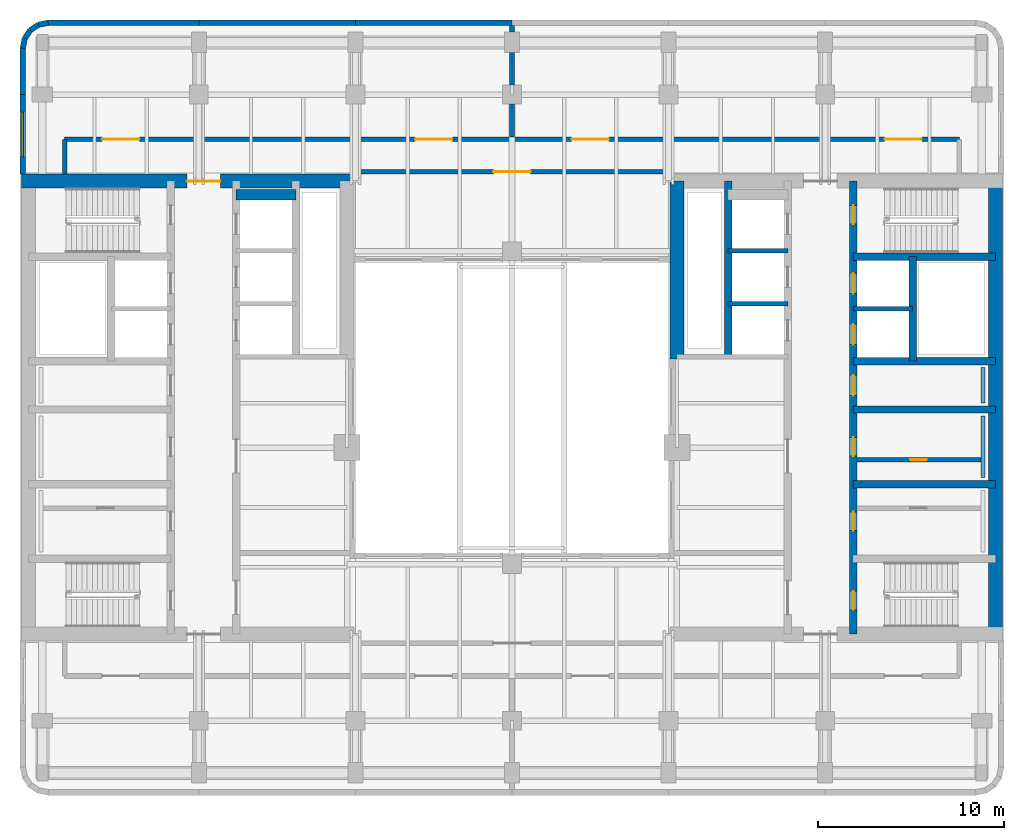
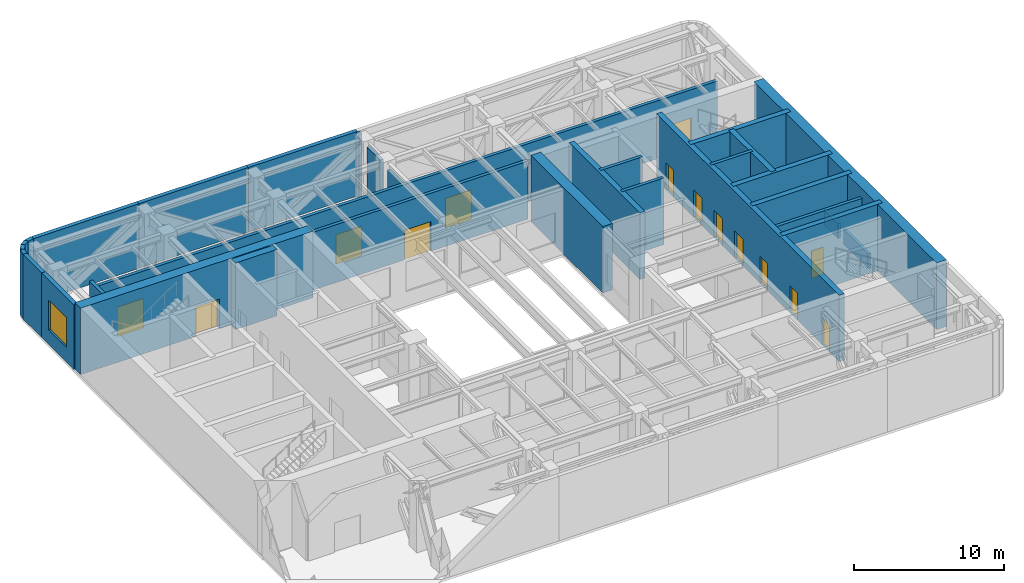
# One storey, part 6 of 10: 32 walls, 14 doors, 1 window, 15 openings.
"""IFC4 building model written with IfcOpenShell, lengths in metres."""

from ifc_helpers import new_model, si_unit, direction, frame, frame_2d, origin, place, context, subcontext, project, spatial, rectangle, extrude, material, layer, layer_set, type_object, element, fill, save


model = new_model("IFC4")

# Units and contexts
model_context = context("Model", 3, precision=1e-05, world=origin(), true_north=direction((0.0, 1.0)))
body_context = subcontext(model_context, "Body", "Model", "MODEL_VIEW")
ifc_project = project(units=[si_unit("LENGTHUNIT", "METRE"), si_unit("AREAUNIT", "SQUARE_METRE"), si_unit("VOLUMEUNIT", "CUBIC_METRE"), si_unit("PLANEANGLEUNIT", "RADIAN"), si_unit("MASSUNIT", "GRAM", prefix="KILO")], contexts=[model_context])

# Site, building, storey
site_placement = place(None, origin())
site = spatial("IfcSite", under=ifc_project, at=site_placement, CompositionType="ELEMENT")
building_placement = place(site_placement, origin())
building = spatial("IfcBuilding", under=site, at=building_placement, Name="Claustro Exchange Tower", CompositionType="ELEMENT")
storey_placement = place(building_placement, frame((0.0, 0.0, 244.800048828125)))
storey = spatial("IfcBuildingStorey", under=building, at=storey_placement, Name="L56", CompositionType="ELEMENT", Elevation=244.800048828125)

# Wall, openings, doors
ifc_material_1 = material(Name="Concrete blockwork, rendered", Category="masonry")
ifc_layer_1 = layer(ifc_material_1, 0.25)
ifc_layer_set_1 = layer_set([ifc_layer_1], Name="Concrete blockwork, rendered")
wall_type_1 = type_object("IfcWallType", Name="P4 250 blockwork wall", PredefinedType="PARTITIONING", material=ifc_layer_set_1)
wall_1_placement = place(storey_placement, frame((1.199951171875, 39.60009765625, 0.0), z_axis=(0.0, 0.0, 1.0), x_axis=(1.0, 0.0, 0.0)))
wall_1 = element("IfcWall", 1, at=wall_1_placement, inside=storey, type_object=wall_type_1, Name="Partition P4 L56", PredefinedType="PARTITIONING", context=body_context, shape_type="SweptSolid", body=[
    extrude(rectangle(XDim=48.0, YDim=0.25, at=frame_2d((24.0, 0.0))), origin(), (0.0, 0.0, 1.0), 4.699951171875),
])
opening_1_placement = place(wall_1_placement, frame((2.0, 0.0, 0.0)))
opening_1 = element("IfcOpeningElement", 2, at=opening_1_placement, cuts=wall_1, Name="Opening D9", PredefinedType="OPENING", context=body_context, shape_type="SweptSolid", body=[
    extrude(rectangle(XDim=2.0, YDim=2.39990234375, at=frame_2d((1.0, 1.199951171875))), frame((0.0, 0.135009765625, 0.0), z_axis=(0.0, -1.0, 0.0), x_axis=(1.0, 0.0, 0.0)), (0.0, 0.0, 1.0), 0.27001953125),
])
opening_2_placement = place(wall_1_placement, frame((18.800048828125, 0.0, 0.0)))
opening_2 = element("IfcOpeningElement", 3, at=opening_2_placement, cuts=wall_1, Name="Opening D9", PredefinedType="OPENING", context=body_context, shape_type="SweptSolid", body=[
    extrude(rectangle(XDim=2.0, YDim=2.39990234375, at=frame_2d((1.0, 1.199951171875))), frame((0.0, 0.135009765625, 0.0), z_axis=(0.0, -1.0, 0.0), x_axis=(1.0, 0.0, 0.0)), (0.0, 0.0, 1.0), 0.27001953125),
])
opening_3_placement = place(wall_1_placement, frame((27.199951171875, 0.0, 0.0)))
opening_3 = element("IfcOpeningElement", 4, at=opening_3_placement, cuts=wall_1, Name="Opening D9", PredefinedType="OPENING", context=body_context, shape_type="SweptSolid", body=[
    extrude(rectangle(XDim=2.0, YDim=2.39990234375, at=frame_2d((1.0, 1.199951171875))), frame((0.0, 0.135009765625, 0.0), z_axis=(0.0, -1.0, 0.0), x_axis=(1.0, 0.0, 0.0)), (0.0, 0.0, 1.0), 0.27001953125),
])
opening_4_placement = place(wall_1_placement, frame((44.0, 0.0, 0.0)))
opening_4 = element("IfcOpeningElement", 5, at=opening_4_placement, cuts=wall_1, Name="Opening D9", PredefinedType="OPENING", context=body_context, shape_type="SweptSolid", body=[
    extrude(rectangle(XDim=2.0, YDim=2.39990234375, at=frame_2d((1.0, 1.199951171875))), frame((0.0, 0.135009765625, 0.0), z_axis=(0.0, -1.0, 0.0), x_axis=(1.0, 0.0, 0.0)), (0.0, 0.0, 1.0), 0.27001953125),
])
ifc_material_2 = material(Name="Steel fire door, painted", Category="steel")
door_type_1 = type_object("IfcDoorType", Name="D9 2000 x 2400 plant room double door", OperationType="DOUBLE_DOOR_SINGLE_SWING", PredefinedType="DOOR", material=ifc_material_2)
door_1_placement = place(opening_1_placement, origin())
door_1 = element("IfcDoor", 6, at=door_1_placement, inside=storey, type_object=door_type_1, Name="Double door D9 L56", OperationType="DOUBLE_DOOR_SINGLE_SWING", OverallHeight=2.39990234375, OverallWidth=2.0, PredefinedType="DOOR", context=body_context, shape_type="SweptSolid", body=[
    extrude(rectangle(XDim=2.0, YDim=2.39990234375, at=frame_2d((1.0, 1.199951171875))), frame((0.0, 0.02490234375, 0.0), z_axis=(0.0, -1.0, 0.0), x_axis=(1.0, 0.0, 0.0)), (0.0, 0.0, 1.0), 0.050048828125),
])
fill(opening_1, door_1)
door_2_placement = place(opening_2_placement, origin())
door_2 = element("IfcDoor", 7, at=door_2_placement, inside=storey, type_object=door_type_1, Name="Double door D9 L56", OperationType="DOUBLE_DOOR_SINGLE_SWING", OverallHeight=2.39990234375, OverallWidth=2.0, PredefinedType="DOOR", context=body_context, shape_type="SweptSolid", body=[
    extrude(rectangle(XDim=2.0, YDim=2.39990234375, at=frame_2d((1.0, 1.199951171875))), frame((0.0, 0.02490234375, 0.0), z_axis=(0.0, -1.0, 0.0), x_axis=(1.0, 0.0, 0.0)), (0.0, 0.0, 1.0), 0.050048828125),
])
fill(opening_2, door_2)
door_3_placement = place(opening_3_placement, origin())
door_3 = element("IfcDoor", 8, at=door_3_placement, inside=storey, type_object=door_type_1, Name="Double door D9 L56", OperationType="DOUBLE_DOOR_SINGLE_SWING", OverallHeight=2.39990234375, OverallWidth=2.0, PredefinedType="DOOR", context=body_context, shape_type="SweptSolid", body=[
    extrude(rectangle(XDim=2.0, YDim=2.39990234375, at=frame_2d((1.0, 1.199951171875))), frame((0.0, 0.02490234375, 0.0), z_axis=(0.0, -1.0, 0.0), x_axis=(1.0, 0.0, 0.0)), (0.0, 0.0, 1.0), 0.050048828125),
])
fill(opening_3, door_3)
door_4_placement = place(opening_4_placement, origin())
door_4 = element("IfcDoor", 9, at=door_4_placement, inside=storey, type_object=door_type_1, Name="Double door D9 L56", OperationType="DOUBLE_DOOR_SINGLE_SWING", OverallHeight=2.39990234375, OverallWidth=2.0, PredefinedType="DOOR", context=body_context, shape_type="SweptSolid", body=[
    extrude(rectangle(XDim=2.0, YDim=2.39990234375, at=frame_2d((1.0, 1.199951171875))), frame((0.0, 0.02490234375, 0.0), z_axis=(0.0, -1.0, 0.0), x_axis=(1.0, 0.0, 0.0)), (0.0, 0.0, 1.0), 0.050048828125),
])
fill(opening_4, door_4)

# Walls
wall_2_placement = place(storey_placement, frame((1.199951171875, 37.72412109375, 0.0), z_axis=(0.0, 0.0, 1.0), x_axis=(0.0, 1.0, 0.0)))
element("IfcWall", 10, at=wall_2_placement, inside=storey, type_object=wall_type_1, Name="Partition P4 L56", PredefinedType="PARTITIONING", context=body_context, shape_type="SweptSolid", body=[
    extrude(rectangle(XDim=1.8759765625, YDim=0.25, at=frame_2d((0.93798828125, 0.0))), origin(), (0.0, 0.0, 1.0), 5.25),
])
wall_3_placement = place(storey_placement, frame((25.199951171875, 39.72412109375, 0.0), z_axis=(0.0, 0.0, 1.0), x_axis=(0.0, 1.0, 0.0)))
element("IfcWall", 11, at=wall_3_placement, inside=storey, type_object=wall_type_1, Name="Partition P4 L56", PredefinedType="PARTITIONING", context=body_context, shape_type="SweptSolid", body=[
    extrude(rectangle(XDim=1.77685546875, YDim=0.25, at=frame_2d((0.888427734375, 0.0))), origin(), (0.0, 0.0, 1.0), 4.699951171875),
])
wall_4_placement = place(storey_placement, frame((25.199951171875, 42.4990234375, 0.0), z_axis=(0.0, 0.0, 1.0), x_axis=(0.0, 1.0, 0.0)))
element("IfcWall", 12, at=wall_4_placement, inside=storey, type_object=wall_type_1, Name="Partition P4 L56", PredefinedType="PARTITIONING", context=body_context, shape_type="SweptSolid", body=[
    extrude(rectangle(XDim=1.751953125, YDim=0.25, at=frame_2d((0.8759765625, 0.0))), origin(), (0.0, 0.0, 1.0), 4.889892578125),
])
wall_5_placement = place(storey_placement, frame((25.199951171875, 45.35107421875, 0.0), z_axis=(0.0, 0.0, 1.0), x_axis=(0.0, 1.0, 0.0)))
element("IfcWall", 13, at=wall_5_placement, inside=storey, type_object=wall_type_1, Name="Partition P4 L56", PredefinedType="PARTITIONING", context=body_context, shape_type="SweptSolid", body=[
    extrude(rectangle(XDim=0.350830078125, YDim=0.25, at=frame_2d((0.17529296875, 0.0))), origin(), (0.0, 0.0, 1.0), 5.25),
])

# Wall, opening, door
wall_6_placement = place(storey_placement, frame((16.72509765625, 37.85009765625, 0.0), z_axis=(0.0, 0.0, 1.0), x_axis=(1.0, 0.0, 0.0)))
wall_6 = element("IfcWall", 14, at=wall_6_placement, inside=storey, type_object=wall_type_1, Name="Partition P4 L56", PredefinedType="PARTITIONING", context=body_context, shape_type="SweptSolid", body=[
    extrude(rectangle(XDim=16.949951171875, YDim=0.25, at=frame_2d((8.47509765625, 0.0))), origin(), (0.0, 0.0, 1.0), 4.699951171875),
])
opening_5_placement = place(wall_6_placement, frame((7.47509765625, 0.0, 0.0)))
opening_5 = element("IfcOpeningElement", 15, at=opening_5_placement, cuts=wall_6, Name="Opening D9", PredefinedType="OPENING", context=body_context, shape_type="SweptSolid", body=[
    extrude(rectangle(XDim=2.0, YDim=2.39990234375, at=frame_2d((1.0, 1.199951171875))), frame((0.0, 0.135009765625, 0.0), z_axis=(0.0, -1.0, 0.0), x_axis=(1.0, 0.0, 0.0)), (0.0, 0.0, 1.0), 0.27001953125),
])
door_5_placement = place(opening_5_placement, origin())
door_5 = element("IfcDoor", 16, at=door_5_placement, inside=storey, type_object=door_type_1, Name="Double door D9 L56", OperationType="DOUBLE_DOOR_SINGLE_SWING", OverallHeight=2.39990234375, OverallWidth=2.0, PredefinedType="DOOR", context=body_context, shape_type="SweptSolid", body=[
    extrude(rectangle(XDim=2.0, YDim=2.39990234375, at=frame_2d((1.0, 1.199951171875))), frame((0.0, 0.02490234375, 0.0), z_axis=(0.0, -1.0, 0.0), x_axis=(1.0, 0.0, 0.0)), (0.0, 0.0, 1.0), 0.050048828125),
])
fill(opening_5, door_5)

wall_7_placement = place(storey_placement, frame((43.699951171875, 22.39990234375, 0.0), z_axis=(0.0, 0.0, 1.0), x_axis=(1.0, 0.0, 0.0)))
wall_7 = element("IfcWall", 17, at=wall_7_placement, inside=storey, type_object=wall_type_1, Name="Partition P4 L56", PredefinedType="PARTITIONING", context=body_context, shape_type="SweptSolid", body=[
    extrude(rectangle(XDim=6.675048828125, YDim=0.25, at=frame_2d((3.33740234375, 0.0))), origin(), (0.0, 0.0, 1.0), 5.199951171875),
])
opening_6_placement = place(wall_7_placement, frame((2.862548828125, 0.0, 0.0)))
opening_6 = element("IfcOpeningElement", 18, at=opening_6_placement, cuts=wall_7, Name="Opening D5", PredefinedType="OPENING", context=body_context, shape_type="SweptSolid", body=[
    extrude(rectangle(XDim=0.89990234375, YDim=2.199951171875, at=frame_2d((0.449951171875, 1.10009765625))), frame((0.0, 0.135009765625, 0.0), z_axis=(0.0, -1.0, 0.0), x_axis=(1.0, 0.0, 0.0)), (0.0, 0.0, 1.0), 0.27001953125),
])
ifc_material_3 = material(Name="Steel door, painted", Category="steel")
door_type_2 = type_object("IfcDoorType", Name="D5 900 x 2200 store door", OperationType="SINGLE_SWING_LEFT", PredefinedType="DOOR", material=ifc_material_3)
door_6_placement = place(opening_6_placement, frame((0.89990234375, 0.0, 0.0), z_axis=(0.0, 0.0, 1.0), x_axis=(-1.0, 0.0, 0.0)))
door_6 = element("IfcDoor", 19, at=door_6_placement, inside=storey, type_object=door_type_2, Name="Store door D5 L56", OperationType="SINGLE_SWING_RIGHT", OverallHeight=2.199951171875, OverallWidth=0.89990234375, PredefinedType="DOOR", context=body_context, shape_type="SweptSolid", body=[
    extrude(rectangle(XDim=0.89990234375, YDim=2.199951171875, at=frame_2d((0.449951171875, 1.10009765625))), frame((0.0, 0.02490234375, 0.0), z_axis=(0.0, -1.0, 0.0), x_axis=(1.0, 0.0, 0.0)), (0.0, 0.0, 1.0), 0.050048828125),
])
fill(opening_6, door_6)

# Wall, opening, window
ifc_material_4 = material(Name="Concrete HA-40 (C40/50), precast, white cement, acid-etched", Category="concrete")
ifc_layer_2 = layer(ifc_material_4, 0.300048828125)
ifc_layer_set_2 = layer_set([ifc_layer_2], Name="Concrete HA-40 (C40/50), precast, white cement, acid-etched")
wall_type_2 = type_object("IfcWallType", Name="PC1 300 precast concrete pier panel", PredefinedType="SOLIDWALL", material=ifc_layer_set_2)
wall_8_placement = place(storey_placement, frame((-1.050048828125, 37.72509765625, 0.0), z_axis=(0.0, 0.0, 1.0), x_axis=(0.0, 1.0, 0.0)))
wall_8 = element("IfcWall", 20, at=wall_8_placement, inside=storey, type_object=wall_type_2, Name="Precast pier panel PC1 L56", PredefinedType="SOLIDWALL", context=body_context, shape_type="SweptSolid", body=[
    extrude(rectangle(XDim=4.27490234375, YDim=0.300048828125, at=frame_2d((2.137451171875, 0.0))), origin(), (0.0, 0.0, 1.0), 5.25),
])
opening_7_placement = place(wall_8_placement, frame((0.9375, 0.0, 1.199951171875)))
opening_7 = element("IfcOpeningElement", 21, at=opening_7_placement, cuts=wall_8, Name="Opening L2", PredefinedType="OPENING", context=body_context, shape_type="SweptSolid", body=[
    extrude(rectangle(XDim=2.39990234375, YDim=2.39990234375, at=frame_2d((1.199951171875, 1.199951171875))), frame((0.0, 0.159912109375, 0.0), z_axis=(0.0, -1.0, 0.0), x_axis=(1.0, 0.0, 0.0)), (0.0, 0.0, 1.0), 0.320068359375),
])
ifc_material_5 = material(Name="Aluminium louvre blades", Category="aluminium")
window_type = type_object("IfcWindowType", Name="L2 2400 x 2400 plant louvre", PartitioningType="SINGLE_PANEL", PredefinedType="USERDEFINED", material=ifc_material_5)
window_placement = place(opening_7_placement, origin())
window = element("IfcWindow", 22, at=window_placement, inside=storey, type_object=window_type, Name="Plant louvre L2 L56", ObjectType="LOUVRE", OverallHeight=2.39990234375, OverallWidth=2.39990234375, PartitioningType="SINGLE_PANEL", PredefinedType="USERDEFINED", context=body_context, shape_type="SweptSolid", body=[
    extrude(rectangle(XDim=2.39990234375, YDim=2.39990234375, at=frame_2d((1.199951171875, 1.199951171875))), frame((0.0, 0.030029296875, 0.0), z_axis=(0.0, -1.0, 0.0), x_axis=(1.0, 0.0, 0.0)), (0.0, 0.0, 1.0), 0.06005859375),
])
fill(opening_7, window)

# Walls
wall_9_placement = place(storey_placement, frame((-1.050048828125, 42.0, 0.0), z_axis=(0.0, 0.0, 1.0), x_axis=(0.0, 1.0, 0.0)))
element("IfcWall", 23, at=wall_9_placement, inside=storey, type_object=wall_type_2, Name="Precast pier panel PC1 L56", PredefinedType="SOLIDWALL", context=body_context, shape_type="SweptSolid", body=[
    extrude(rectangle(XDim=2.485107421875, YDim=0.300048828125, at=frame_2d((1.24267578125, 0.0))), origin(), (0.0, 0.0, 1.0), 5.25),
])
wall_10_placement = place(storey_placement, frame((-1.050048828125, 44.485107421875, 0.0), z_axis=(0.0, 0.0, 1.0), x_axis=(0.195073962632, 0.980788534345, 0.0)))
element("IfcWall", 24, at=wall_10_placement, inside=storey, type_object=wall_type_2, Name="Precast pier panel PC1 L56", PredefinedType="SOLIDWALL", context=body_context, shape_type="SweptSolid", body=[
    extrude(rectangle(XDim=0.540771484375, YDim=0.300048828125, at=frame_2d((0.2705078125, 0.0))), origin(), (0.0, 0.0, 1.0), 5.25),
])
wall_11_placement = place(storey_placement, frame((-0.944580078125, 45.015380859375, 0.0), z_axis=(0.0, 0.0, 1.0), x_axis=(0.55534295404, 0.831621430339, 0.0)))
element("IfcWall", 25, at=wall_11_placement, inside=storey, type_object=wall_type_2, Name="Precast pier panel PC1 L56", PredefinedType="SOLIDWALL", context=body_context, shape_type="SweptSolid", body=[
    extrude(rectangle(XDim=0.52587890625, YDim=0.300048828125, at=frame_2d((0.262939453125, 0.0))), origin(), (0.0, 0.0, 1.0), 5.25),
])
wall_12_placement = place(storey_placement, frame((-0.652587890625, 45.45263671875, 0.0), z_axis=(0.0, 0.0, 1.0), x_axis=(0.831692711774, 0.555236195849, 0.0)))
element("IfcWall", 26, at=wall_12_placement, inside=storey, type_object=wall_type_2, Name="Precast pier panel PC1 L56", PredefinedType="SOLIDWALL", context=body_context, shape_type="SweptSolid", body=[
    extrude(rectangle(XDim=0.525390625, YDim=0.300048828125, at=frame_2d((0.2626953125, 0.0))), origin(), (0.0, 0.0, 1.0), 5.25),
])
wall_13_placement = place(storey_placement, frame((-0.215576171875, 45.744384765625, 0.0), z_axis=(0.0, 0.0, 1.0), x_axis=(0.980702050465, 0.1955082817, 0.0)))
element("IfcWall", 27, at=wall_13_placement, inside=storey, type_object=wall_type_2, Name="Precast pier panel PC1 L56", PredefinedType="SOLIDWALL", context=body_context, shape_type="SweptSolid", body=[
    extrude(rectangle(XDim=0.540771484375, YDim=0.300048828125, at=frame_2d((0.2705078125, 0.0))), origin(), (0.0, 0.0, 1.0), 5.25),
])
wall_14_placement = place(storey_placement, frame((0.314697265625, 45.85009765625, 0.0), z_axis=(0.0, 0.0, 1.0), x_axis=(1.0, 0.0, 0.0)))
element("IfcWall", 28, at=wall_14_placement, inside=storey, type_object=wall_type_2, Name="Precast pier panel PC1 L56", PredefinedType="SOLIDWALL", context=body_context, shape_type="SweptSolid", body=[
    extrude(rectangle(XDim=8.085205078125, YDim=0.300048828125, at=frame_2d((4.04248046875, 0.0))), origin(), (0.0, 0.0, 1.0), 5.25),
])
wall_15_placement = place(storey_placement, frame((8.39990234375, 45.85009765625, 0.0), z_axis=(0.0, 0.0, 1.0), x_axis=(1.0, 0.0, 0.0)))
element("IfcWall", 29, at=wall_15_placement, inside=storey, type_object=wall_type_2, Name="Precast pier panel PC1 L56", PredefinedType="SOLIDWALL", context=body_context, shape_type="SweptSolid", body=[
    extrude(rectangle(XDim=8.400146484375, YDim=0.300048828125, at=frame_2d((4.2001953125, 0.0))), origin(), (0.0, 0.0, 1.0), 5.25),
])
wall_16_placement = place(storey_placement, frame((16.800048828125, 45.85009765625, 0.0), z_axis=(0.0, 0.0, 1.0), x_axis=(1.0, 0.0, 0.0)))
element("IfcWall", 30, at=wall_16_placement, inside=storey, type_object=wall_type_2, Name="Precast pier panel PC1 L56", PredefinedType="SOLIDWALL", context=body_context, shape_type="SweptSolid", body=[
    extrude(rectangle(XDim=8.39990234375, YDim=0.300048828125, at=frame_2d((4.199951171875, 0.0))), origin(), (0.0, 0.0, 1.0), 5.25),
])
ifc_material_6 = material(Name="Gypsum board on steel studs, tiled", Category="steel")
ifc_layer_3 = layer(ifc_material_6, 0.199951171875)
ifc_layer_set_3 = layer_set([ifc_layer_3], Name="Gypsum board on steel studs, tiled")
wall_type_3 = type_object("IfcWallType", Name="PW1 200 WC duct wall", PredefinedType="PLUMBINGWALL", material=ifc_layer_set_3)
wall_17_placement = place(storey_placement, frame((50.47509765625, 21.449951171875, 0.0), z_axis=(0.0, 0.0, 1.0), x_axis=(0.0, 1.0, 0.0)))
element("IfcWall", 31, at=wall_17_placement, inside=storey, type_object=wall_type_3, Name="WC duct wall PW1 L56", PredefinedType="PLUMBINGWALL", context=body_context, shape_type="SweptSolid", body=[
    extrude(rectangle(XDim=3.300048828125, YDim=0.199951171875, at=frame_2d((1.64990234375, 0.0))), origin(), (0.0, 0.0, 1.0), 1.199951171875),
])
wall_18_placement = place(storey_placement, frame((50.47509765625, 25.449951171875, 0.0), z_axis=(0.0, 0.0, 1.0), x_axis=(0.0, 1.0, 0.0)))
element("IfcWall", 32, at=wall_18_placement, inside=storey, type_object=wall_type_3, Name="WC duct wall PW1 L56", PredefinedType="PLUMBINGWALL", context=body_context, shape_type="SweptSolid", body=[
    extrude(rectangle(XDim=1.900146484375, YDim=0.199951171875, at=frame_2d((0.9501953125, 0.0))), origin(), (0.0, 0.0, 1.0), 1.199951171875),
])

# Wall, opening, door
ifc_material_7 = material(Name="Concrete HA-70 (C70/85)", Category="concrete")
ifc_layer_4 = layer(ifc_material_7, 0.75)
ifc_layer_set_4 = layer_set([ifc_layer_4], Name="Concrete HA-70 (C70/85)")
wall_type_4 = type_object("IfcWallType", Name="SW2 750 core shear wall", PredefinedType="SHEAR", material=ifc_layer_set_4)
wall_19_placement = place(storey_placement, frame((-1.125, 37.35009765625, 0.0), z_axis=(0.0, 0.0, 1.0), x_axis=(1.0, 0.0, 0.0)))
wall_19 = element("IfcWall", 33, at=wall_19_placement, inside=storey, type_object=wall_type_4, Name="Core wall SW2 W core N face L56", PredefinedType="SHEAR", context=body_context, shape_type="SweptSolid", body=[
    extrude(rectangle(XDim=17.85009765625, YDim=0.75, at=frame_2d((8.925048828125, 0.0))), origin(), (0.0, 0.0, 1.0), 5.39990234375),
])
opening_8_placement = place(wall_19_placement, frame((8.875, 0.0, 0.0)))
opening_8 = element("IfcOpeningElement", 34, at=opening_8_placement, cuts=wall_19, Name="Opening D3", PredefinedType="OPENING", context=body_context, shape_type="SweptSolid", body=[
    extrude(rectangle(XDim=1.800048828125, YDim=2.39990234375, at=frame_2d((0.89990234375, 1.199951171875))), frame((0.0, 0.385009765625, 0.0), z_axis=(0.0, -1.0, 0.0), x_axis=(1.0, 0.0, 0.0)), (0.0, 0.0, 1.0), 0.77001953125),
])
ifc_material_8 = material(Name="Steel fire door, painted", Category="steel")
door_type_3 = type_object("IfcDoorType", Name="D3 1800 x 2400 fire-rated lobby double door", OperationType="DOUBLE_DOOR_SINGLE_SWING", PredefinedType="DOOR", material=ifc_material_8)
door_7_placement = place(opening_8_placement, frame((1.800048828125, 0.0, 0.0), z_axis=(0.0, 0.0, 1.0), x_axis=(-1.0, 0.0, 0.0)))
door_7 = element("IfcDoor", 35, at=door_7_placement, inside=storey, type_object=door_type_3, Name="Lift lobby door D3 L56", OperationType="DOUBLE_DOOR_SINGLE_SWING", OverallHeight=2.39990234375, OverallWidth=1.800048828125, PredefinedType="DOOR", context=body_context, shape_type="SweptSolid", body=[
    extrude(rectangle(XDim=1.800048828125, YDim=2.39990234375, at=frame_2d((0.89990234375, 1.199951171875))), frame((0.0, 0.02490234375, 0.0), z_axis=(0.0, -1.0, 0.0), x_axis=(1.0, 0.0, 0.0)), (0.0, 0.0, 1.0), 0.050048828125),
])
fill(opening_8, door_7)

# Walls
ifc_material_9 = material(Name="Concrete HA-70 (C70/85)", Category="concrete")
ifc_layer_5 = layer(ifc_material_9, 0.75)
ifc_layer_set_5 = layer_set([ifc_layer_5], Name="Concrete HA-70 (C70/85)")
wall_type_5 = type_object("IfcWallType", Name="SW2X 750 exposed core shear wall, board-marked face", PredefinedType="SHEAR", material=ifc_layer_set_5)
wall_20_placement = place(storey_placement, frame((34.050048828125, 27.800048828125, 0.0), z_axis=(0.0, 0.0, 1.0), x_axis=(0.0, 1.0, 0.0)))
element("IfcWall", 36, at=wall_20_placement, inside=storey, type_object=wall_type_5, Name="Core wall SW2X E core W face L56", PredefinedType="SHEAR", context=body_context, shape_type="SweptSolid", body=[
    extrude(rectangle(XDim=9.550048828125, YDim=0.75, at=frame_2d((4.77490234375, 0.0))), origin(), (0.0, 0.0, 1.0), 5.39990234375),
])
wall_21_placement = place(storey_placement, frame((51.14990234375, 13.050048828125, 0.0), z_axis=(0.0, 0.0, 1.0), x_axis=(0.0, 1.0, 0.0)))
element("IfcWall", 37, at=wall_21_placement, inside=storey, type_object=wall_type_5, Name="Core wall SW2X E core E face L56", PredefinedType="SHEAR", context=body_context, shape_type="SweptSolid", body=[
    extrude(rectangle(XDim=24.300048828125, YDim=0.75, at=frame_2d((12.14990234375, 0.0))), origin(), (0.0, 0.0, 1.0), 5.39990234375),
])

# Wall, openings, doors
ifc_material_10 = material(Name="Concrete HA-50 (C50/60)", Category="concrete")
ifc_layer_6 = layer(ifc_material_10, 0.39990234375)
ifc_layer_set_6 = layer_set([ifc_layer_6], Name="Concrete HA-50 (C50/60)")
wall_type_6 = type_object("IfcWallType", Name="SW4 400 internal core wall", PredefinedType="SHEAR", material=ifc_layer_set_6)
wall_22_placement = place(storey_placement, frame((43.5, 13.050048828125, 0.0), z_axis=(0.0, 0.0, 1.0), x_axis=(0.0, 1.0, 0.0)))
wall_22 = element("IfcWall", 38, at=wall_22_placement, inside=storey, type_object=wall_type_6, Name="Internal core wall SW4 E core L56", PredefinedType="SHEAR", context=body_context, shape_type="SweptSolid", body=[
    extrude(rectangle(XDim=24.300048828125, YDim=0.39990234375, at=frame_2d((12.14990234375, 0.0))), origin(), (0.0, 0.0, 1.0), 5.39990234375),
])
opening_9_placement = place(wall_22_placement, frame((1.300048828125, 0.0, 0.0)))
opening_9 = element("IfcOpeningElement", 39, at=opening_9_placement, cuts=wall_22, Name="Opening D4", PredefinedType="OPENING", context=body_context, shape_type="SweptSolid", body=[
    extrude(rectangle(XDim=1.0, YDim=2.199951171875, at=frame_2d((0.5, 1.10009765625))), frame((0.0, 0.2099609375, 0.0), z_axis=(0.0, -1.0, 0.0), x_axis=(1.0, 0.0, 0.0)), (0.0, 0.0, 1.0), 0.419921875),
])
opening_10_placement = place(wall_22_placement, frame((22.0, 0.0, 0.0)))
opening_10 = element("IfcOpeningElement", 40, at=opening_10_placement, cuts=wall_22, Name="Opening D4", PredefinedType="OPENING", context=body_context, shape_type="SweptSolid", body=[
    extrude(rectangle(XDim=1.0, YDim=2.199951171875, at=frame_2d((0.5, 1.10009765625))), frame((0.0, 0.2099609375, 0.0), z_axis=(0.0, -1.0, 0.0), x_axis=(1.0, 0.0, 0.0)), (0.0, 0.0, 1.0), 0.419921875),
])
opening_11_placement = place(wall_22_placement, frame((5.550048828125, 0.0, 0.0)))
opening_11 = element("IfcOpeningElement", 41, at=opening_11_placement, cuts=wall_22, Name="Opening D1", PredefinedType="OPENING", context=body_context, shape_type="SweptSolid", body=[
    extrude(rectangle(XDim=1.0, YDim=2.199951171875, at=frame_2d((0.5, 1.10009765625))), frame((0.0, 0.2099609375, 0.0), z_axis=(0.0, -1.0, 0.0), x_axis=(1.0, 0.0, 0.0)), (0.0, 0.0, 1.0), 0.419921875),
])
opening_12_placement = place(wall_22_placement, frame((9.550048828125, 0.0, 0.0)))
opening_12 = element("IfcOpeningElement", 42, at=opening_12_placement, cuts=wall_22, Name="Opening D1", PredefinedType="OPENING", context=body_context, shape_type="SweptSolid", body=[
    extrude(rectangle(XDim=1.0, YDim=2.199951171875, at=frame_2d((0.5, 1.10009765625))), frame((0.0, 0.2099609375, 0.0), z_axis=(0.0, -1.0, 0.0), x_axis=(1.0, 0.0, 0.0)), (0.0, 0.0, 1.0), 0.419921875),
])
opening_13_placement = place(wall_22_placement, frame((12.800048828125, 0.0, 0.0)))
opening_13 = element("IfcOpeningElement", 43, at=opening_13_placement, cuts=wall_22, Name="Opening D10", PredefinedType="OPENING", context=body_context, shape_type="SweptSolid", body=[
    extrude(rectangle(XDim=1.10009765625, YDim=2.199951171875, at=frame_2d((0.550048828125, 1.10009765625))), frame((0.0, 0.2099609375, 0.0), z_axis=(0.0, -1.0, 0.0), x_axis=(1.0, 0.0, 0.0)), (0.0, 0.0, 1.0), 0.419921875),
])
opening_14_placement = place(wall_22_placement, frame((15.53759765625, 0.0, 0.0)))
opening_14 = element("IfcOpeningElement", 44, at=opening_14_placement, cuts=wall_22, Name="Opening LD", PredefinedType="OPENING", context=body_context, shape_type="SweptSolid", body=[
    extrude(rectangle(XDim=1.10009765625, YDim=2.199951171875, at=frame_2d((0.550048828125, 1.10009765625))), frame((0.0, 0.2099609375, 0.0), z_axis=(0.0, -1.0, 0.0), x_axis=(1.0, 0.0, 0.0)), (0.0, 0.0, 1.0), 0.419921875),
])
opening_15_placement = place(wall_22_placement, frame((18.262451171875, 0.0, 0.0)))
opening_15 = element("IfcOpeningElement", 45, at=opening_15_placement, cuts=wall_22, Name="Opening LD", PredefinedType="OPENING", context=body_context, shape_type="SweptSolid", body=[
    extrude(rectangle(XDim=1.10009765625, YDim=2.199951171875, at=frame_2d((0.550048828125, 1.10009765625))), frame((0.0, 0.2099609375, 0.0), z_axis=(0.0, -1.0, 0.0), x_axis=(1.0, 0.0, 0.0)), (0.0, 0.0, 1.0), 0.419921875),
])
ifc_material_11 = material(Name="Timber door, oak veneer", Category="wood")
door_type_4 = type_object("IfcDoorType", Name="D1 1000 x 2200 single door", OperationType="SINGLE_SWING_LEFT", PredefinedType="DOOR", material=ifc_material_11)
door_8_placement = place(opening_11_placement, frame((1.0, 0.0, 0.0), z_axis=(0.0, 0.0, 1.0), x_axis=(-1.0, 0.0, 0.0)))
door_8 = element("IfcDoor", 46, at=door_8_placement, inside=storey, type_object=door_type_4, Name="Door D1 L56", OperationType="SINGLE_SWING_LEFT", OverallHeight=2.199951171875, OverallWidth=1.0, PredefinedType="DOOR", context=body_context, shape_type="SweptSolid", body=[
    extrude(rectangle(XDim=1.0, YDim=2.199951171875, at=frame_2d((0.5, 1.10009765625))), frame((0.0, 0.02490234375, 0.0), z_axis=(0.0, -1.0, 0.0), x_axis=(1.0, 0.0, 0.0)), (0.0, 0.0, 1.0), 0.050048828125),
])
fill(opening_11, door_8)
door_9_placement = place(opening_12_placement, frame((1.0, 0.0, 0.0), z_axis=(0.0, 0.0, 1.0), x_axis=(-1.0, 0.0, 0.0)))
door_9 = element("IfcDoor", 47, at=door_9_placement, inside=storey, type_object=door_type_4, Name="Door D1 L56", OperationType="SINGLE_SWING_RIGHT", OverallHeight=2.199951171875, OverallWidth=1.0, PredefinedType="DOOR", context=body_context, shape_type="SweptSolid", body=[
    extrude(rectangle(XDim=1.0, YDim=2.199951171875, at=frame_2d((0.5, 1.10009765625))), frame((0.0, 0.02490234375, 0.0), z_axis=(0.0, -1.0, 0.0), x_axis=(1.0, 0.0, 0.0)), (0.0, 0.0, 1.0), 0.050048828125),
])
fill(opening_12, door_9)
ifc_material_12 = material(Name="Timber door, oak veneer", Category="wood")
door_type_5 = type_object("IfcDoorType", Name="D10 1100 x 2200 accessible WC door", OperationType="SINGLE_SWING_LEFT", PredefinedType="DOOR", material=ifc_material_12)
door_10_placement = place(opening_13_placement, origin())
door_10 = element("IfcDoor", 48, at=door_10_placement, inside=storey, type_object=door_type_5, Name="Accessible WC door D10 L56", OperationType="SINGLE_SWING_RIGHT", OverallHeight=2.199951171875, OverallWidth=1.10009765625, PredefinedType="DOOR", context=body_context, shape_type="SweptSolid", body=[
    extrude(rectangle(XDim=1.10009765625, YDim=2.199951171875, at=frame_2d((0.550048828125, 1.10009765625))), frame((0.0, 0.02490234375, 0.0), z_axis=(0.0, -1.0, 0.0), x_axis=(1.0, 0.0, 0.0)), (0.0, 0.0, 1.0), 0.050048828125),
])
fill(opening_13, door_10)
ifc_material_13 = material(Name="Steel fire door, painted", Category="steel")
door_type_6 = type_object("IfcDoorType", Name="D4 1000 x 2200 fire-rated stair door", OperationType="SINGLE_SWING_LEFT", PredefinedType="DOOR", material=ifc_material_13)
door_11_placement = place(opening_9_placement, frame((1.0, 0.0, 0.0), z_axis=(0.0, 0.0, 1.0), x_axis=(-1.0, 0.0, 0.0)))
door_11 = element("IfcDoor", 49, at=door_11_placement, inside=storey, type_object=door_type_6, Name="Stair door D4 L56", OperationType="SINGLE_SWING_RIGHT", OverallHeight=2.199951171875, OverallWidth=1.0, PredefinedType="DOOR", context=body_context, shape_type="SweptSolid", body=[
    extrude(rectangle(XDim=1.0, YDim=2.199951171875, at=frame_2d((0.5, 1.10009765625))), frame((0.0, 0.02490234375, 0.0), z_axis=(0.0, -1.0, 0.0), x_axis=(1.0, 0.0, 0.0)), (0.0, 0.0, 1.0), 0.050048828125),
])
fill(opening_9, door_11)
door_12_placement = place(opening_10_placement, frame((1.0, 0.0, 0.0), z_axis=(0.0, 0.0, 1.0), x_axis=(-1.0, 0.0, 0.0)))
door_12 = element("IfcDoor", 50, at=door_12_placement, inside=storey, type_object=door_type_6, Name="Stair door D4 L56", OperationType="SINGLE_SWING_LEFT", OverallHeight=2.199951171875, OverallWidth=1.0, PredefinedType="DOOR", context=body_context, shape_type="SweptSolid", body=[
    extrude(rectangle(XDim=1.0, YDim=2.199951171875, at=frame_2d((0.5, 1.10009765625))), frame((0.0, 0.02490234375, 0.0), z_axis=(0.0, -1.0, 0.0), x_axis=(1.0, 0.0, 0.0)), (0.0, 0.0, 1.0), 0.050048828125),
])
fill(opening_10, door_12)
ifc_material_14 = material(Name="Stainless steel sliding door", Category="steel")
door_type_7 = type_object("IfcDoorType", Name="LD 1100 x 2200 lift landing door", OperationType="DOUBLE_DOOR_SLIDING", PredefinedType="DOOR", material=ifc_material_14)
door_13_placement = place(opening_14_placement, origin())
door_13 = element("IfcDoor", 51, at=door_13_placement, inside=storey, type_object=door_type_7, Name="Lift landing door LEE1 LD L56", OperationType="DOUBLE_DOOR_SLIDING", OverallHeight=2.199951171875, OverallWidth=1.10009765625, PredefinedType="DOOR", context=body_context, shape_type="SweptSolid", body=[
    extrude(rectangle(XDim=1.10009765625, YDim=2.199951171875, at=frame_2d((0.550048828125, 1.10009765625))), frame((0.0, 0.02490234375, 0.0), z_axis=(0.0, -1.0, 0.0), x_axis=(1.0, 0.0, 0.0)), (0.0, 0.0, 1.0), 0.050048828125),
])
fill(opening_14, door_13)
door_14_placement = place(opening_15_placement, origin())
door_14 = element("IfcDoor", 52, at=door_14_placement, inside=storey, type_object=door_type_7, Name="Lift landing door LEE2 LD L56", OperationType="DOUBLE_DOOR_SLIDING", OverallHeight=2.199951171875, OverallWidth=1.10009765625, PredefinedType="DOOR", context=body_context, shape_type="SweptSolid", body=[
    extrude(rectangle(XDim=1.10009765625, YDim=2.199951171875, at=frame_2d((0.550048828125, 1.10009765625))), frame((0.0, 0.02490234375, 0.0), z_axis=(0.0, -1.0, 0.0), x_axis=(1.0, 0.0, 0.0)), (0.0, 0.0, 1.0), 0.050048828125),
])
fill(opening_15, door_14)

# Walls
wall_23_placement = place(storey_placement, frame((36.800048828125, 27.925048828125, 0.0), z_axis=(0.0, 0.0, 1.0), x_axis=(0.0, 1.0, 0.0)))
element("IfcWall", 53, at=wall_23_placement, inside=storey, type_object=wall_type_6, Name="Internal core wall SW4 E core L56", PredefinedType="SHEAR", context=body_context, shape_type="SweptSolid", body=[
    extrude(rectangle(XDim=9.425048828125, YDim=0.39990234375, at=frame_2d((4.71240234375, 0.0))), origin(), (0.0, 0.0, 1.0), 5.39990234375),
])
for number, where, z_axis, x_axis, name in (
    (54, (51.14990234375, 21.10009765625, 0.0), (0.0, 0.0, 1.0), (-1.0, 0.0, 0.0), "Internal core wall SW4 E core L56"),
    (55, (51.14990234375, 25.10009765625, 0.0), (0.0, 0.0, 1.0), (-1.0, 0.0, 0.0), "Internal core wall SW4 E core L56"),
    (56, (51.14990234375, 27.699951171875, 0.0), (0.0, 0.0, 1.0), (-1.0, 0.0, 0.0), "Internal core wall SW4 E core L56"),
    (57, (51.14990234375, 33.300048828125, 0.0), (0.0, 0.0, 1.0), (-1.0, 0.0, 0.0), "Internal core wall SW4 E core L56"),
):
    element("IfcWall", number, at=place(storey_placement, frame(where, z_axis=z_axis, x_axis=x_axis)), inside=storey, type_object=wall_type_6, Name=name, PredefinedType="SHEAR", context=body_context, shape_type="SweptSolid", body=[
        extrude(rectangle(XDim=7.64990234375, YDim=0.39990234375, at=frame_2d((3.824951171875, 0.0))), origin(), (0.0, 0.0, 1.0), 5.39990234375),
    ])
wall_24_placement = place(storey_placement, frame((46.699951171875, 27.699951171875, 0.0), z_axis=(0.0, 0.0, 1.0), x_axis=(0.0, 1.0, 0.0)))
element("IfcWall", 58, at=wall_24_placement, inside=storey, type_object=wall_type_6, Name="Internal core wall SW4 E core L56", PredefinedType="SHEAR", context=body_context, shape_type="SweptSolid", body=[
    extrude(rectangle(XDim=5.60009765625, YDim=0.39990234375, at=frame_2d((2.800048828125, 0.0))), origin(), (0.0, 0.0, 1.0), 5.39990234375),
])
ifc_material_15 = material(Name="Concrete HA-50 (C50/60)", Category="concrete")
ifc_layer_7 = layer(ifc_material_15, 0.25)
ifc_layer_set_7 = layer_set([ifc_layer_7], Name="Concrete HA-50 (C50/60)")
wall_type_7 = type_object("IfcWallType", Name="SW5 250 lift shaft divider wall", PredefinedType="SHEAR", material=ifc_layer_set_7)
for number, where, z_axis, x_axis, name in (
    (59, (46.699951171875, 30.5, 0.0), (0.0, 0.0, 1.0), (-1.0, 0.0, 0.0), "Lift shaft wall E core L56"),
    (60, (40.0, 30.77490234375, 0.0), (0.0, 0.0, 1.0), (-1.0, 0.0, 0.0), "Lift shaft wall E core L56"),
    (61, (40.0, 33.625, 0.0), (0.0, 0.0, 1.0), (-1.0, 0.0, 0.0), "Lift shaft wall E core L56"),
):
    element("IfcWall", number, at=place(storey_placement, frame(where, z_axis=z_axis, x_axis=x_axis)), inside=storey, type_object=wall_type_7, Name=name, PredefinedType="SHEAR", context=body_context, shape_type="SweptSolid", body=[
        extrude(rectangle(XDim=3.199951171875, YDim=0.25, at=frame_2d((1.60009765625, 0.0))), origin(), (0.0, 0.0, 1.0), 5.39990234375),
    ])
ifc_material_16 = material(Name="Concrete HA-50 (C50/60)", Category="concrete")
ifc_layer_8 = layer(ifc_material_16, 0.550048828125)
ifc_layer_set_8 = layer_set([ifc_layer_8], Name="Concrete HA-50 (C50/60)")
wall_type_8 = type_object("IfcWallType", Name="SW6 550 lift shaft end wall", PredefinedType="SHEAR", material=ifc_layer_set_8)
wall_25_placement = place(storey_placement, frame((10.39990234375, 36.625, 0.0), z_axis=(0.0, 0.0, 1.0), x_axis=(1.0, 0.0, 0.0)))
element("IfcWall", 62, at=wall_25_placement, inside=storey, type_object=wall_type_8, Name="Lift shaft wall W core L56", PredefinedType="SHEAR", context=body_context, shape_type="SweptSolid", body=[
    extrude(rectangle(XDim=3.2001953125, YDim=0.550048828125, at=frame_2d((1.60009765625, 0.0))), origin(), (0.0, 0.0, 1.0), 5.39990234375),
])

save(model, "model.ifc")
